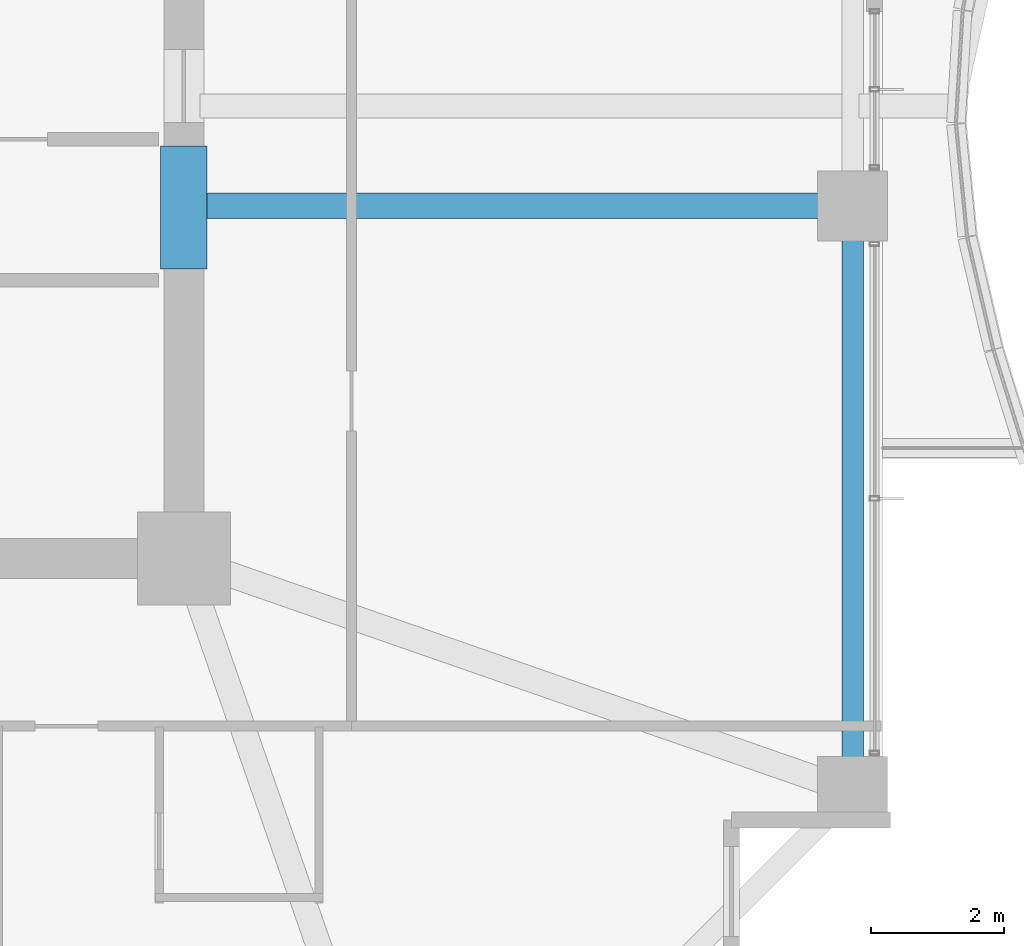
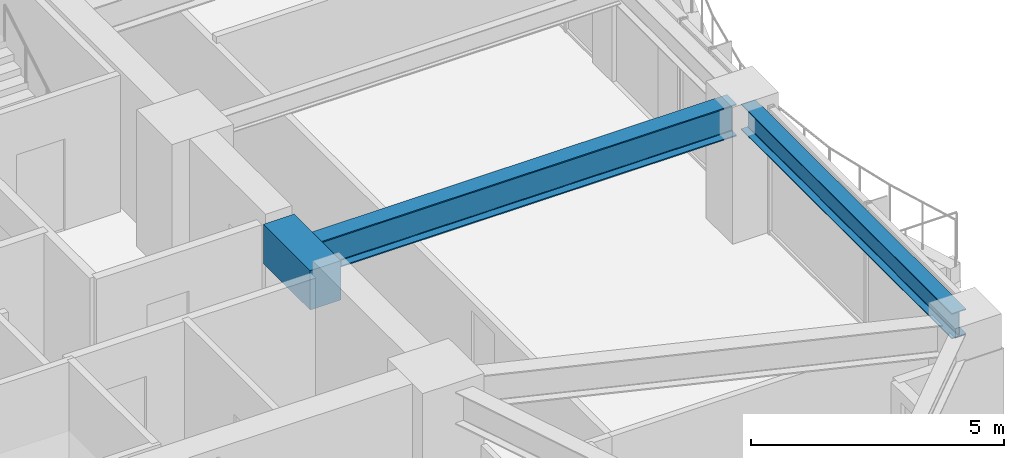
# One storey, part 14 of 36: 3 beams.
"""IFC4 building model written with IfcOpenShell, lengths in metres."""

from ifc_helpers import new_model, si_unit, direction, frame, origin, origin_2d, place, context, subcontext, project, spatial, rectangle, i_section, extrude, material, material_profile, profile_set, type_object, element, save


model = new_model("IFC4")

# Units and contexts
model_context = context("Model", 3, precision=1e-05, world=origin(), true_north=direction((0.0, 1.0)))
body_context = subcontext(model_context, "Body", "Model", "MODEL_VIEW")
ifc_project = project(units=[si_unit("LENGTHUNIT", "METRE"), si_unit("AREAUNIT", "SQUARE_METRE"), si_unit("VOLUMEUNIT", "CUBIC_METRE"), si_unit("PLANEANGLEUNIT", "RADIAN"), si_unit("MASSUNIT", "GRAM", prefix="KILO")], contexts=[model_context])

# Site, building, storey
site_placement = place(None, origin())
site = spatial("IfcSite", under=ifc_project, at=site_placement, CompositionType="ELEMENT")
building_placement = place(site_placement, origin())
building = spatial("IfcBuilding", under=site, at=building_placement, Name="Kolvaren Belvedere", CompositionType="ELEMENT")
storey_placement = place(building_placement, frame((0.0, 0.0, 95.300048828125)))
storey = spatial("IfcBuildingStorey", under=building, at=storey_placement, Name="L27", CompositionType="ELEMENT", Elevation=95.300048828125)

# Beams
ifc_material_1 = material(Name="Structural steel ASTM A992 Grade 50", Category="steel")
ifc_material_profile_1 = material_profile(ifc_material_1, i_section(OverallWidth=0.381103515625, OverallDepth=0.77294921875, WebThickness=0.0166015625, FlangeThickness=0.027099609375, FilletRadius=0.02392578125, at=origin_2d()), Name="W30X173")
ifc_profile_set_1 = profile_set([ifc_material_profile_1], Name="Structural steel ASTM A992 Grade 50")
beam_type_1 = type_object("IfcBeamType", Name="BM-GIRD-W30X173", PredefinedType="BEAM", material=ifc_profile_set_1)
beam_1_placement = place(storey_placement, frame((10.199951171875, -4.60009765625, 2.693359375), z_axis=(1.0, 0.0, 0.0), x_axis=(0.0, 1.0, 0.0)))
element("IfcBeam", 1, at=beam_1_placement, inside=storey, type_object=beam_type_1, Name="L27 East Radial Girder M", PredefinedType="BEAM", context=body_context, shape_type="SweptSolid", body=[
    extrude(i_section(OverallWidth=0.381103515625, OverallDepth=0.77294921875, WebThickness=0.0166015625, FlangeThickness=0.027099609375, FilletRadius=0.02392578125, at=origin_2d()), origin(), (0.0, 0.0, 1.0), 9.513916015625),
])
ifc_material_2 = material(Name="Concrete C60/75", Category="concrete")
ifc_material_profile_2 = material_profile(ifc_material_2, rectangle(XDim=0.699951171875, YDim=0.949951171875, at=origin_2d()), Name="RC 700X950")
ifc_profile_set_2 = profile_set([ifc_material_profile_2], Name="Concrete C60/75")
beam_type_2 = type_object("IfcBeamType", Name="BM-LINT-950", PredefinedType="LINTEL", material=ifc_profile_set_2)
beam_2_placement = place(storey_placement, frame((9.89990234375, -5.550048828125, 2.60498046875), z_axis=(0.0, 1.0, 0.0), x_axis=(-1.0, 0.0, 0.0)))
element("IfcBeam", 2, at=beam_2_placement, inside=storey, type_object=beam_type_2, Name="L27 East Core Coupling Lintel", PredefinedType="LINTEL", context=body_context, shape_type="SweptSolid", body=[
    extrude(rectangle(XDim=0.699951171875, YDim=0.949951171875, at=origin_2d()), origin(), (0.0, 0.0, 1.0), 1.85009765625),
])
ifc_material_3 = material(Name="Structural steel ASTM A992 Grade 50", Category="steel")
ifc_material_profile_3 = material_profile(ifc_material_3, i_section(OverallWidth=0.324951171875, OverallDepth=0.615966796875, WebThickness=0.013916015625, FlangeThickness=0.021484375, FilletRadius=0.02001953125, at=origin_2d()), Name="W24X117")
ifc_profile_set_3 = profile_set([ifc_material_profile_3], Name="Structural steel ASTM A992 Grade 50")
beam_type_3 = type_object("IfcBeamType", Name="BM-SPAN-W24X117", PredefinedType="SPANDREL", material=ifc_profile_set_3)
beam_3_placement = place(storey_placement, frame((19.949951171875, -13.163818359375, 2.77197265625), z_axis=(0.0, 1.0, 0.0), x_axis=(-1.0, 0.0, 0.0)))
element("IfcBeam", 3, at=beam_3_placement, inside=storey, type_object=beam_type_3, Name="L27 Perimeter Spandrel E1-E2", PredefinedType="SPANDREL", context=body_context, shape_type="SweptSolid", body=[
    extrude(i_section(OverallWidth=0.324951171875, OverallDepth=0.615966796875, WebThickness=0.013916015625, FlangeThickness=0.021484375, FilletRadius=0.02001953125, at=origin_2d()), origin(), (0.0, 0.0, 1.0), 8.32763671875),
])

save(model, "model.ifc")
